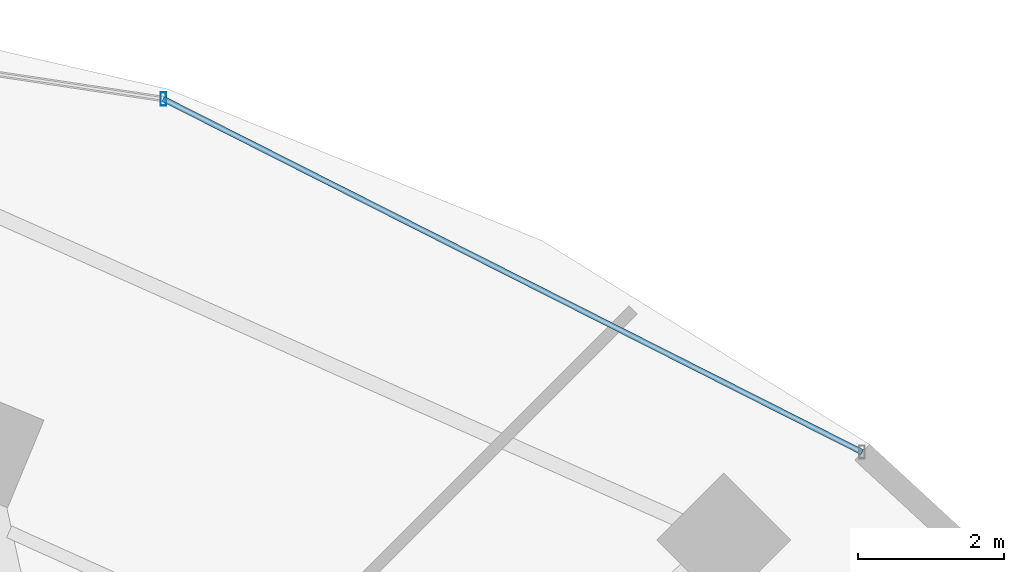
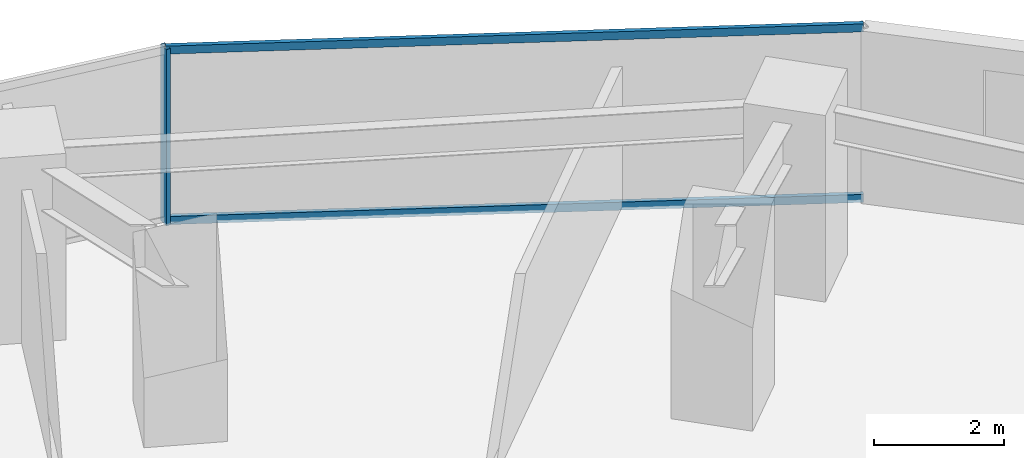
# One storey, part 24 of 36: 3 members, 1 element without a shape of its own.
"""IFC4 building model written with IfcOpenShell, lengths in metres."""

from ifc_helpers import new_model, si_unit, direction, frame, origin, origin_2d, place, context, subcontext, project, spatial, hollow_rectangle, extrude, material, material_profile, profile_set, type_object, element, aggregate, save


model = new_model("IFC4")

# Units and contexts
model_context = context("Model", 3, precision=1e-05, world=origin(), true_north=direction((0.0, 1.0)))
body_context = subcontext(model_context, "Body", "Model", "MODEL_VIEW")
ifc_project = project(units=[si_unit("LENGTHUNIT", "METRE"), si_unit("AREAUNIT", "SQUARE_METRE"), si_unit("VOLUMEUNIT", "CUBIC_METRE"), si_unit("PLANEANGLEUNIT", "RADIAN"), si_unit("MASSUNIT", "GRAM", prefix="KILO")], contexts=[model_context])

# Site, building, storey
site_placement = place(None, origin())
site = spatial("IfcSite", under=ifc_project, at=site_placement, CompositionType="ELEMENT")
building_placement = place(site_placement, origin())
building = spatial("IfcBuilding", under=site, at=building_placement, Name="Vorneva Point Tower", CompositionType="ELEMENT")
storey_placement = place(building_placement, frame((0.0, 0.0, 24.0)))
storey = spatial("IfcBuildingStorey", under=building, at=storey_placement, Name="L05", CompositionType="ELEMENT", Elevation=24.0)

# Curtain wall, members
ifc_material = material(Name="Pale anodised aluminium", Category="aluminium")
curtain_wall_type = type_object("IfcCurtainWallType", Name="CW-HTL-SYS", PredefinedType="NOTDEFINED", material=ifc_material)
curtain_wall_placement = place(storey_placement, origin())
curtain_wall = element("IfcCurtainWall", 1, at=curtain_wall_placement, inside=storey, type_object=curtain_wall_type, Name="L05 Unitised Curtain Wall CW-L05-R02", PredefinedType="NOTDEFINED")
ifc_material_profile_1 = material_profile(ifc_material, hollow_rectangle(XDim=0.074951171875, YDim=0.179931640625, WallThickness=0.00390625, at=origin_2d()), Name="AL-MUL 180x75x4")
ifc_profile_set_1 = profile_set([ifc_material_profile_1], Name="Pale anodised aluminium")
member_type_1 = type_object("IfcMemberType", Name="CW-MUL-180", PredefinedType="MULLION", material=ifc_profile_set_1)
member_1_placement = place(storey_placement, frame((49.308349609375, 46.648681640625, -0.0400390625), z_axis=(0.0, 0.0, 1.0), x_axis=(1.0, 0.0, 0.0)))
member_1 = element("IfcMember", 2, at=member_1_placement, type_object=member_type_1, Name="CW-L05-R02 Mullion 02", PredefinedType="MULLION", context=body_context, shape_type="SweptSolid", body=[
    extrude(hollow_rectangle(XDim=0.074951171875, YDim=0.179931640625, WallThickness=0.00390625, at=origin_2d()), origin(), (0.0, 0.0, 1.0), 3.31005859375),
])
ifc_material_profile_2 = material_profile(ifc_material, hollow_rectangle(XDim=0.074951171875, YDim=0.14990234375, WallThickness=0.00390625, at=origin_2d()), Name="AL-TRN 150x75x4")
ifc_profile_set_2 = profile_set([ifc_material_profile_2], Name="Pale anodised aluminium")
member_type_2 = type_object("IfcMemberType", Name="CW-TRN-150", PredefinedType="USERDEFINED", material=ifc_profile_set_2)
member_2_placement = place(storey_placement, frame((58.89501953125, 41.8037109375, 0.02001953125), z_axis=(-0.892496057621, 0.451055192999, 0.0), x_axis=(-0.451055192999, -0.892496057621, 0.0)))
member_2 = element("IfcMember", 3, at=member_2_placement, type_object=member_type_2, Name="CW-L05-R02 Transom 01.1", ObjectType="TRANSOM", PredefinedType="USERDEFINED", context=body_context, shape_type="SweptSolid", body=[
    extrude(hollow_rectangle(XDim=0.074951171875, YDim=0.14990234375, WallThickness=0.00390625, at=origin_2d()), origin(), (0.0, 0.0, 1.0), 10.741455078125),
])
member_3_placement = place(storey_placement, frame((58.89501953125, 41.8037109375, 3.219970703125), z_axis=(-0.892496057621, 0.451055192999, 0.0), x_axis=(-0.451055192999, -0.892496057621, 0.0)))
member_3 = element("IfcMember", 4, at=member_3_placement, type_object=member_type_2, Name="CW-L05-R02 Transom 01.2", ObjectType="TRANSOM", PredefinedType="USERDEFINED", context=body_context, shape_type="SweptSolid", body=[
    extrude(hollow_rectangle(XDim=0.074951171875, YDim=0.14990234375, WallThickness=0.00390625, at=origin_2d()), origin(), (0.0, 0.0, 1.0), 10.741455078125),
])
aggregate(curtain_wall, [member_1, member_2, member_3])

save(model, "model.ifc")
